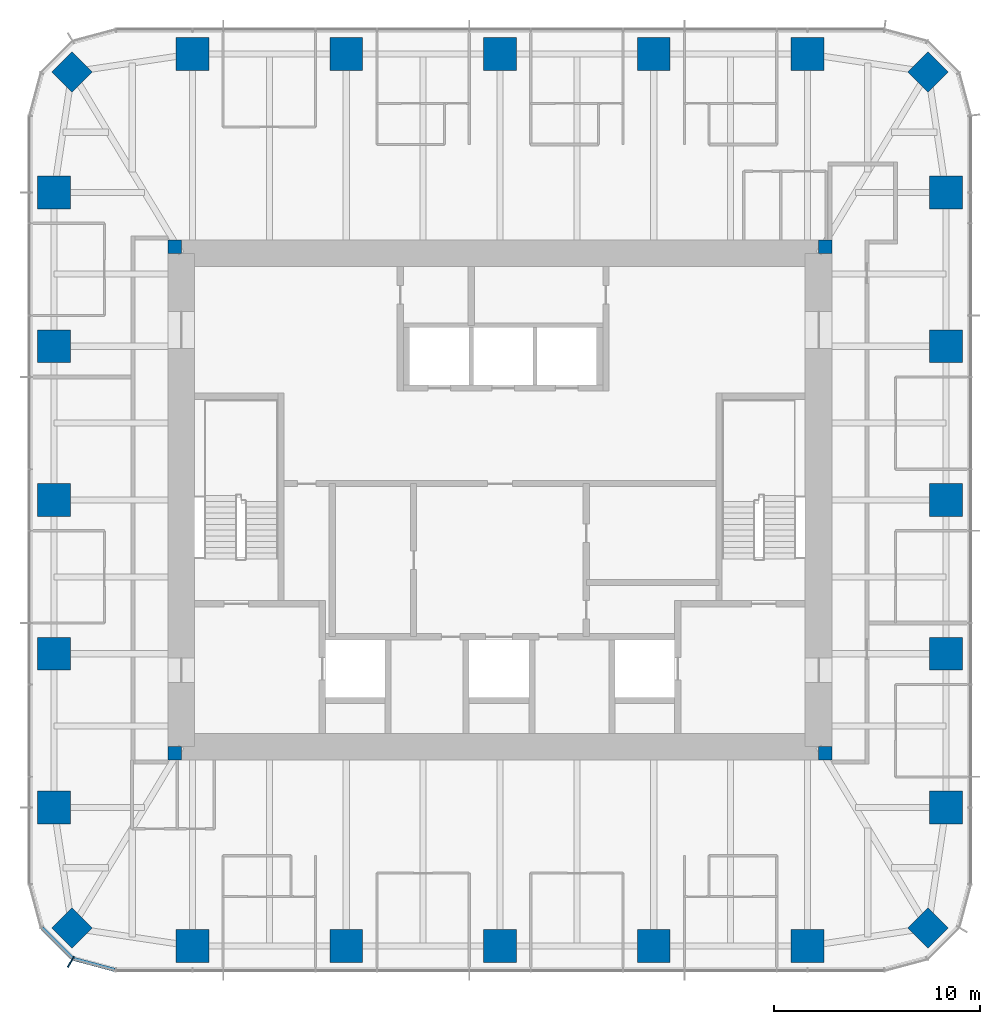
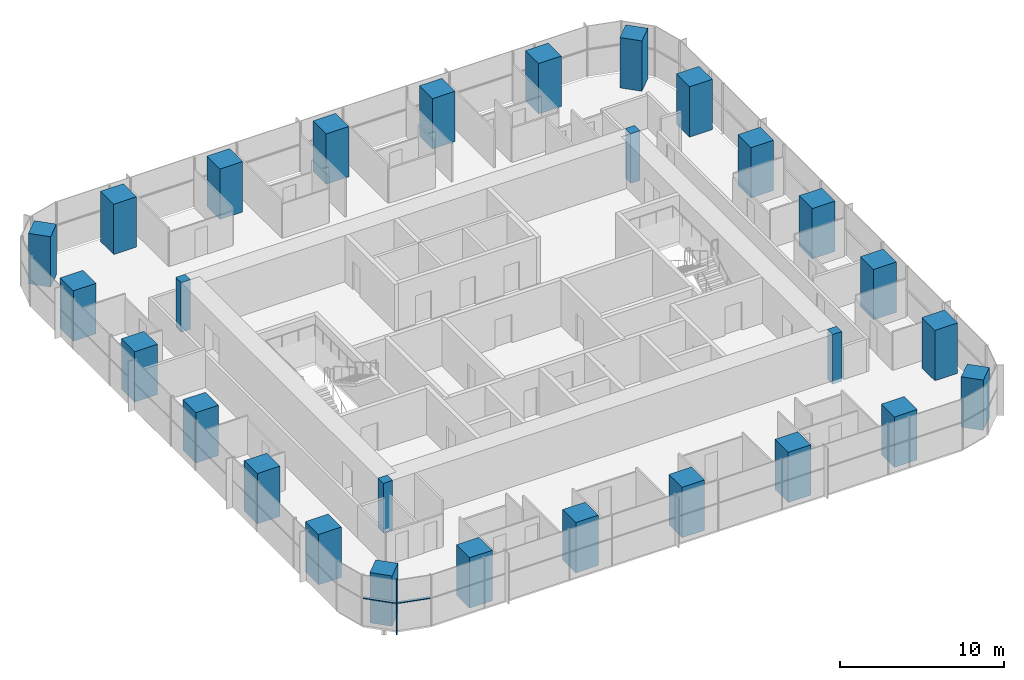
# One storey, part 1 of 13: 28 columns, 3 members, 1 element without a shape of its own.
"""IFC4 building model written with IfcOpenShell, lengths in metres."""

from ifc_helpers import new_model, si_unit, direction, frame, origin, origin_2d, place, context, subcontext, project, spatial, rectangle, extrude, material, material_profile, profile_set, type_object, element, aggregate, save


model = new_model("IFC4")

# Units and contexts
model_context = context("Model", 3, precision=1e-05, world=origin(), true_north=direction((0.0, 1.0)))
body_context = subcontext(model_context, "Body", "Model", "MODEL_VIEW")
ifc_project = project(units=[si_unit("LENGTHUNIT", "METRE"), si_unit("AREAUNIT", "SQUARE_METRE"), si_unit("VOLUMEUNIT", "CUBIC_METRE"), si_unit("PLANEANGLEUNIT", "RADIAN"), si_unit("MASSUNIT", "GRAM", prefix="KILO")], contexts=[model_context])

# Site, building, storey
site_placement = place(None, origin())
site = spatial("IfcSite", under=ifc_project, at=site_placement, CompositionType="ELEMENT")
building_placement = place(site_placement, origin())
building = spatial("IfcBuilding", under=site, at=building_placement, Name="Khuree Lantern Residences", CompositionType="ELEMENT")
storey_placement = place(building_placement, frame((0.0, 0.0, 349.5)))
storey = spatial("IfcBuildingStorey", under=building, at=storey_placement, Name="L88", CompositionType="ELEMENT", Elevation=349.5)

# Columns
ifc_material_1 = material(Name="Concrete C70/85", Category="concrete")
ifc_material_profile_1 = material_profile(ifc_material_1, rectangle(XDim=1.39990234375, YDim=1.39990234375, at=origin_2d()), Name="RC 1400X1400")
ifc_profile_set_1 = profile_set([ifc_material_profile_1], Name="Concrete C70/85")
column_type_1 = type_object("IfcColumnType", Name="CC1400 PERIMETER CORNER COLUMN RC 1400X1400", PredefinedType="COLUMN", material=ifc_profile_set_1)
for number, where, z_axis, x_axis, name in (
    (1, (20.8212890625, 20.8212890625, 0.0), (0.0, 0.0, 1.0), (0.707106781187, -0.707106781187, 0.0), "Perimeter column NE"),
    (2, (20.8212890625, -20.8212890625, 0.0), (0.0, 0.0, 1.0), (0.707106781187, 0.707106781187, 0.0), "Perimeter column SE"),
    (3, (-20.8212890625, -20.8212890625, 0.0), (0.0, 0.0, 1.0), (0.707106781187, -0.707106781187, 0.0), "Perimeter column SW"),
    (4, (-20.8212890625, 20.8212890625, 0.0), (0.0, 0.0, 1.0), (0.707106781187, 0.707106781187, 0.0), "Perimeter column NW"),
):
    element("IfcColumn", number, at=place(storey_placement, frame(where, z_axis=z_axis, x_axis=x_axis)), inside=storey, type_object=column_type_1, Name=name, PredefinedType="COLUMN", context=body_context, shape_type="SweptSolid", body=[
        extrude(rectangle(XDim=1.39990234375, YDim=1.39990234375, at=origin_2d()), origin(), (0.0, 0.0, 1.0), 3.75),
    ])
ifc_material_2 = material(Name="Concrete C50/60", Category="concrete")
ifc_material_profile_2 = material_profile(ifc_material_2, rectangle(XDim=0.64990234375, YDim=0.64990234375, at=origin_2d()), Name="RC 650X650")
ifc_profile_set_2 = profile_set([ifc_material_profile_2], Name="Concrete C50/60")
column_type_2 = type_object("IfcColumnType", Name="CP650-C50 CORE CORNER PIER C50 RC 650X650", PredefinedType="COLUMN", material=ifc_profile_set_2)
for number, where, z_axis, x_axis, name in (
    (5, (15.824951171875, 12.324951171875, -0.25), (0.0, 0.0, 1.0), (1.0, 0.0, 0.0), "Core corner pier NE"),
    (6, (-15.824951171875, 12.324951171875, -0.25), (0.0, 0.0, 1.0), (1.0, 0.0, 0.0), "Core corner pier NW"),
    (7, (-15.824951171875, -12.324951171875, -0.25), (0.0, 0.0, 1.0), (1.0, 0.0, 0.0), "Core corner pier SW"),
    (8, (15.824951171875, -12.324951171875, -0.25), (0.0, 0.0, 1.0), (1.0, 0.0, 0.0), "Core corner pier SE"),
):
    element("IfcColumn", number, at=place(storey_placement, frame(where, z_axis=z_axis, x_axis=x_axis)), inside=storey, type_object=column_type_2, Name=name, PredefinedType="COLUMN", context=body_context, shape_type="SweptSolid", body=[
        extrude(rectangle(XDim=0.64990234375, YDim=0.64990234375, at=origin_2d()), origin(), (0.0, 0.0, 1.0), 3.699951171875),
    ])
ifc_material_profile_3 = material_profile(ifc_material_1, rectangle(XDim=1.60009765625, YDim=1.60009765625, at=origin_2d()), Name="RC 1600X1600")
ifc_profile_set_3 = profile_set([ifc_material_profile_3], Name="Concrete C70/85")
column_type_3 = type_object("IfcColumnType", Name="PC5 PERIMETER COLUMN RC 1600X1600", PredefinedType="COLUMN", material=ifc_profile_set_3)
for number, where, z_axis, x_axis, name in (
    (9, (-14.9599609375, 21.699951171875, 0.0), (0.0, 0.0, 1.0), (1.0, 0.0, 0.0), "Perimeter column N1"),
    (10, (-7.47998046875, 21.699951171875, 0.0), (0.0, 0.0, 1.0), (1.0, 0.0, 0.0), "Perimeter column N2"),
    (11, (0.0, 21.699951171875, 0.0), (0.0, 0.0, 1.0), (1.0, 0.0, 0.0), "Perimeter column N3"),
    (12, (7.47998046875, 21.699951171875, 0.0), (0.0, 0.0, 1.0), (1.0, 0.0, 0.0), "Perimeter column N4"),
    (13, (14.9599609375, 21.699951171875, 0.0), (0.0, 0.0, 1.0), (1.0, 0.0, 0.0), "Perimeter column N5"),
    (14, (21.699951171875, 14.9599609375, 0.0), (0.0, 0.0, 1.0), (0.0, 1.0, 0.0), "Perimeter column E1"),
    (15, (21.699951171875, 7.47998046875, 0.0), (0.0, 0.0, 1.0), (0.0, 1.0, 0.0), "Perimeter column E2"),
    (16, (21.699951171875, 0.0, 0.0), (0.0, 0.0, 1.0), (0.0, 1.0, 0.0), "Perimeter column E3"),
    (17, (21.699951171875, -7.47998046875, 0.0), (0.0, 0.0, 1.0), (0.0, 1.0, 0.0), "Perimeter column E4"),
    (18, (21.699951171875, -14.9599609375, 0.0), (0.0, 0.0, 1.0), (0.0, 1.0, 0.0), "Perimeter column E5"),
    (19, (14.9599609375, -21.699951171875, 0.0), (0.0, 0.0, 1.0), (1.0, 0.0, 0.0), "Perimeter column S1"),
    (20, (7.47998046875, -21.699951171875, 0.0), (0.0, 0.0, 1.0), (1.0, 0.0, 0.0), "Perimeter column S2"),
    (21, (0.0, -21.699951171875, 0.0), (0.0, 0.0, 1.0), (1.0, 0.0, 0.0), "Perimeter column S3"),
    (22, (-7.47998046875, -21.699951171875, 0.0), (0.0, 0.0, 1.0), (1.0, 0.0, 0.0), "Perimeter column S4"),
    (23, (-14.9599609375, -21.699951171875, 0.0), (0.0, 0.0, 1.0), (1.0, 0.0, 0.0), "Perimeter column S5"),
    (24, (-21.699951171875, -14.9599609375, 0.0), (0.0, 0.0, 1.0), (0.0, 1.0, 0.0), "Perimeter column W1"),
    (25, (-21.699951171875, -7.47998046875, 0.0), (0.0, 0.0, 1.0), (0.0, 1.0, 0.0), "Perimeter column W2"),
    (26, (-21.699951171875, 0.0, 0.0), (0.0, 0.0, 1.0), (0.0, 1.0, 0.0), "Perimeter column W3"),
    (27, (-21.699951171875, 7.47998046875, 0.0), (0.0, 0.0, 1.0), (0.0, 1.0, 0.0), "Perimeter column W4"),
    (28, (-21.699951171875, 14.9599609375, 0.0), (0.0, 0.0, 1.0), (0.0, 1.0, 0.0), "Perimeter column W5"),
):
    element("IfcColumn", number, at=place(storey_placement, frame(where, z_axis=z_axis, x_axis=x_axis)), inside=storey, type_object=column_type_3, Name=name, PredefinedType="COLUMN", context=body_context, shape_type="SweptSolid", body=[
        extrude(rectangle(XDim=1.60009765625, YDim=1.60009765625, at=origin_2d()), origin(), (0.0, 0.0, 1.0), 3.75),
    ])

# Curtain wall, members
ifc_material_3 = material(Name="Bronze anodised aluminium", Category="aluminium")
curtain_wall_type = type_object("IfcCurtainWallType", Name="CW-T2 TOWER CORNER CURTAIN WALL", PredefinedType="USERDEFINED", material=ifc_material_3)
curtain_wall_placement = place(storey_placement, origin())
curtain_wall = element("IfcCurtainWall", 29, at=curtain_wall_placement, inside=storey, type_object=curtain_wall_type, Name="L88 SOUTH-WEST CORNER CURTAIN WALL", ObjectType="Faceted corner curtain wall", PredefinedType="USERDEFINED")
ifc_material_profile_4 = material_profile(ifc_material_3, rectangle(XDim=0.06494140625, YDim=0.60009765625, at=origin_2d()), Name="F1 65X600")
ifc_profile_set_4 = profile_set([ifc_material_profile_4], Name="Bronze anodised aluminium")
member_type_1 = type_object("IfcMemberType", Name="F1 BRONZE FIN MULLION TOWER 65X600", PredefinedType="MULLION", material=ifc_profile_set_4)
member_1_placement = place(storey_placement, frame((-20.875, -22.46728515625, 0.0), z_axis=(0.0, 0.0, 1.0), x_axis=(0.866025437565, -0.49999994149, 0.0)))
member_1 = element("IfcMember", 30, at=member_1_placement, type_object=member_type_1, Name="L88 SOUTH-WEST CORNER FIN MULLION 45", PredefinedType="MULLION", context=body_context, shape_type="SweptSolid", body=[
    extrude(rectangle(XDim=0.06494140625, YDim=0.60009765625, at=origin_2d()), origin(), (0.0, 0.0, 1.0), 3.75),
])
ifc_material_profile_5 = material_profile(ifc_material_3, rectangle(XDim=0.179931640625, YDim=0.06494140625, at=origin_2d()), Name="T1 180X65")
ifc_profile_set_5 = profile_set([ifc_material_profile_5], Name="Bronze anodised aluminium")
member_type_2 = type_object("IfcMemberType", Name="TRANSOM T1 TOWER 180X65", PredefinedType="USERDEFINED", material=ifc_profile_set_5)
member_2_placement = place(storey_placement, frame((-22.26953125, -20.8251953125, 2.050048828125), z_axis=(0.707106781187, -0.707106781187, 0.0), x_axis=(0.707106781187, 0.707106781187, 0.0)))
member_2 = element("IfcMember", 31, at=member_2_placement, type_object=member_type_2, Name="L88 SOUTH-WEST CORNER TRANSOM 44.1", ObjectType="Transom", PredefinedType="USERDEFINED", context=body_context, shape_type="SweptSolid", body=[
    extrude(rectangle(XDim=0.179931640625, YDim=0.06494140625, at=origin_2d()), origin(), (0.0, 0.0, 1.0), 2.04248046875),
])
member_3_placement = place(storey_placement, frame((-20.728759765625, -22.325439453125, 2.050048828125), z_axis=(0.965941173949, -0.25876176006, 0.0), x_axis=(0.25876176006, 0.965941173949, 0.0)))
member_3 = element("IfcMember", 32, at=member_3_placement, type_object=member_type_2, Name="L88 SOUTH-WEST CORNER TRANSOM 45.1", ObjectType="Transom", PredefinedType="USERDEFINED", context=body_context, shape_type="SweptSolid", body=[
    extrude(rectangle(XDim=0.179931640625, YDim=0.06494140625, at=origin_2d()), origin(), (0.0, 0.0, 1.0), 2.0595703125),
])
aggregate(curtain_wall, [member_1, member_2, member_3])

save(model, "model.ifc")
